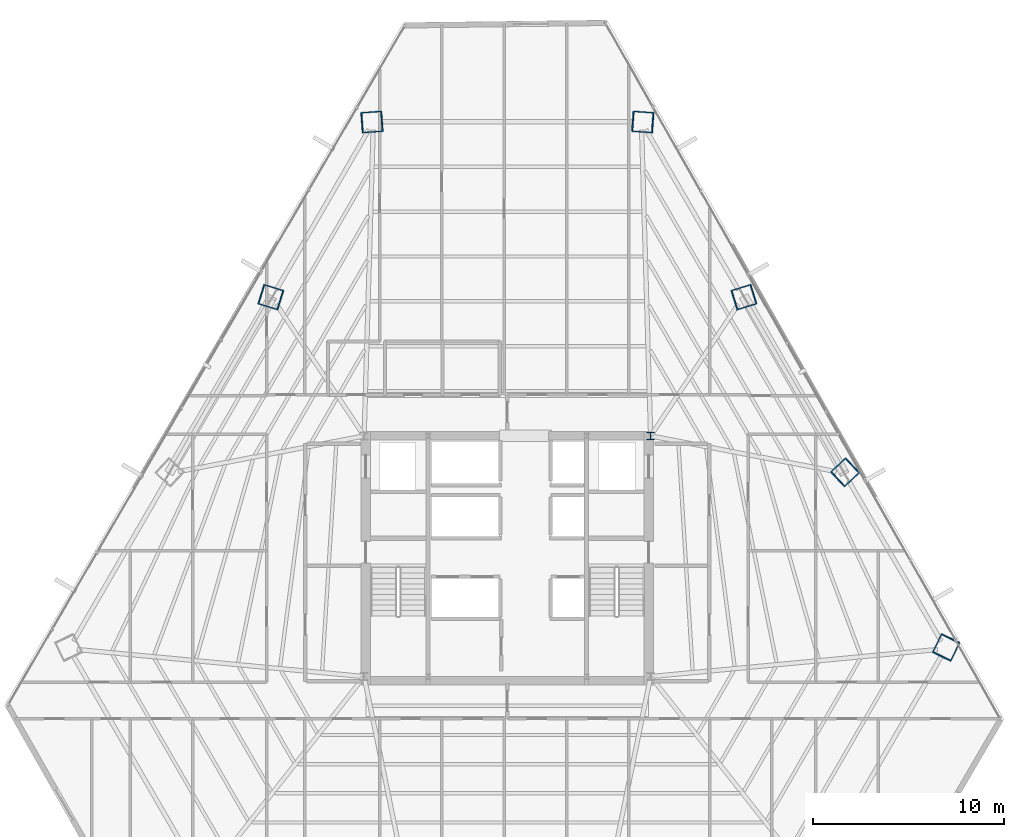
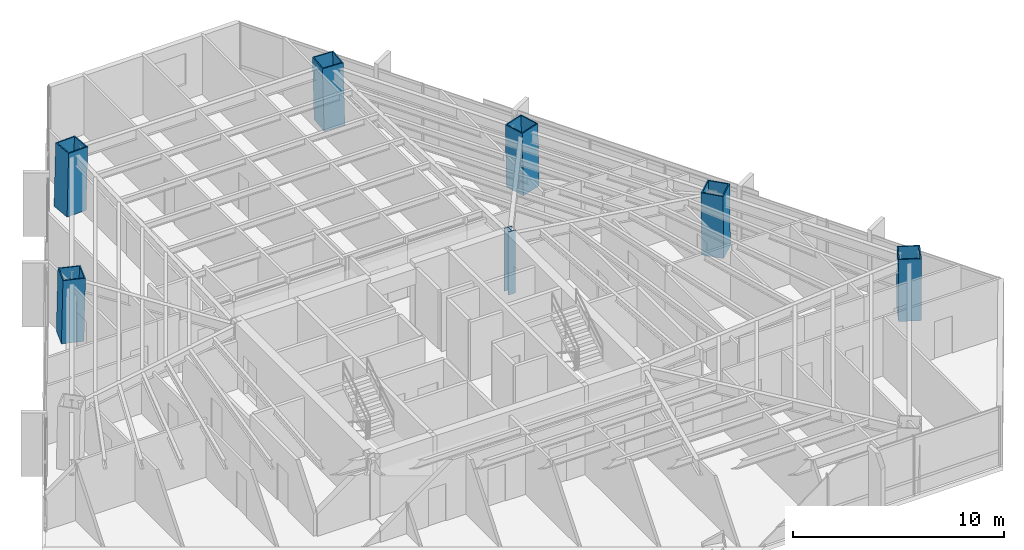
# One storey, part 3 of 37: 7 columns.
"""IFC4 building model written with IfcOpenShell, lengths in metres."""

from ifc_helpers import new_model, si_unit, direction, frame, origin, origin_2d, place, context, subcontext, project, spatial, hollow_rectangle, i_section, extrude, source, transform, mapped, material, material_profile, profile_set, type_object, type_shapes, element, save


model = new_model("IFC4")

# Units and contexts
model_context = context("Model", 3, precision=1e-05, world=origin(), true_north=direction((0.0, 1.0)))
body_context = subcontext(model_context, "Body", "Model", "MODEL_VIEW")
ifc_project = project(units=[si_unit("LENGTHUNIT", "METRE"), si_unit("AREAUNIT", "SQUARE_METRE"), si_unit("VOLUMEUNIT", "CUBIC_METRE"), si_unit("PLANEANGLEUNIT", "RADIAN"), si_unit("MASSUNIT", "GRAM", prefix="KILO")], contexts=[model_context])

# Site, building, storey
site_placement = place(None, origin())
site = spatial("IfcSite", under=ifc_project, at=site_placement, CompositionType="ELEMENT")
building_placement = place(site_placement, origin())
building = spatial("IfcBuilding", under=site, at=building_placement, Name="Caelisora Broadcast Tower", CompositionType="ELEMENT")
storey_placement = place(building_placement, frame((0.0, 0.0, 120.0)))
storey = spatial("IfcBuildingStorey", under=building, at=storey_placement, Name="L31", CompositionType="ELEMENT", Elevation=120.0)

# Columns
ifc_material_1 = material(Name="Steel Grade 350 (AS/NZS 3679.2)", Category="steel")
ifc_material_profile_1 = material_profile(ifc_material_1, i_section(OverallWidth=0.39990234375, OverallDepth=0.39990234375, WebThickness=0.02001953125, FlangeThickness=0.031982421875, at=origin_2d()), Name="Steel Grade 350 (AS/NZS 3679.2)")
ifc_profile_set_1 = profile_set([ifc_material_profile_1], Name="Steel Grade 350 (AS/NZS 3679.2)")
column_type_1 = type_object("IfcColumnType", Name="CC02", PredefinedType="COLUMN", material=ifc_profile_set_1)
shared_shape_1 = source(origin(), body_context, "Body", "SweptSolid", [
    extrude(i_section(OverallWidth=0.39990234375, OverallDepth=0.39990234375, WebThickness=0.02001953125, FlangeThickness=0.031982421875, at=origin_2d()), origin(), (0.0, 0.0, 1.0), 3.64990234375),
])
type_shapes(column_type_1, [shared_shape_1])
column_placement = place(storey_placement, frame((45.5, 30.0, 0.0), z_axis=(0.0, 0.0, 1.0), x_axis=(1.0, 0.0, 0.0)))
element("IfcColumn", 1, at=column_placement, inside=storey, type_object=column_type_1, Name="L31 column CC02", PredefinedType="COLUMN", context=body_context, shape_type="MappedRepresentation", body=[
    mapped(shared_shape_1, transform((0.0, 0.0, 0.0), scale=1.0)),
])
ifc_material_2 = material(Name="Steel Grade 350 L15 (AS/NZS 3678)", Category="steel")
ifc_material_profile_2 = material_profile(ifc_material_2, hollow_rectangle(XDim=1.10009765625, YDim=1.10009765625, WallThickness=0.06005859375, at=origin_2d()), Name="Steel Grade 350 L15 (AS/NZS 3678)")
ifc_profile_set_2 = profile_set([ifc_material_profile_2], Name="Steel Grade 350 L15 (AS/NZS 3678)")
column_type_2 = type_object("IfcColumnType", Name="MC03", PredefinedType="COLUMN", material=ifc_profile_set_2)
shared_shape_2 = source(origin(), body_context, "Body", "SweptSolid", [
    extrude(hollow_rectangle(XDim=1.10009765625, YDim=1.10009765625, WallThickness=0.06005859375, at=origin_2d()), origin(), (0.0, 0.0, 1.0), 3.65087890625),
])
for number, where, z_axis, x_axis, name in (
    (2, (45.104248046875, 46.4345703125, 0.0), (-0.023872756997, 0.001738632162, 0.999713493273), (-0.07263675076, -0.997358462359, 0.0), "L31 column MC03"),
    (3, (30.895751953125, 46.4345703125, 0.0), (0.023872756997, 0.001738632162, 0.999713493273), (-0.07263675076, 0.997358462359, 0.0), "L31 column MC03"),
    (4, (60.981201171875, 18.935302734375, 0.0), (-0.010431780378, -0.021599135014, 0.999712286273), (0.900476348161, -0.434904985489, 0.0), "L31 column MC03"),
):
    element("IfcColumn", number, at=place(storey_placement, frame(where, z_axis=z_axis, x_axis=x_axis)), inside=storey, type_object=column_type_2, Name=name, PredefinedType="COLUMN", context=body_context, shape_type="MappedRepresentation", body=[
        mapped(shared_shape_2, transform((0.0, 0.0, 0.0), scale=1.0)),
    ])
shared_shape_3 = source(origin(), body_context, "Body", "SweptSolid", [
    extrude(hollow_rectangle(XDim=1.10009765625, YDim=1.10009765625, WallThickness=0.06005859375, at=origin_2d()), origin(), (0.0, 0.0, 1.0), 3.650634765625),
])
type_shapes(column_type_2, [shared_shape_2, shared_shape_3])
for number, where, z_axis, x_axis, name in (
    (5, (25.603515625, 37.26806640625, 0.0), (0.019393993486, -0.006018825565, 0.999793802119), (0.296399214872, 0.955064136811, 0.0), "L31 column MC03"),
    (6, (55.688720703125, 28.101806640625, 0.0), (-0.014846438617, -0.013843300873, 0.999793951913), (0.681966025159, -0.731383853069, 0.0), "L31 column MC03"),
    (7, (50.396484375, 37.26806640625, 0.0), (-0.019393993486, -0.006018825565, 0.999793802119), (0.296399214872, -0.955064136811, 0.0), "L31 column MC03"),
):
    element("IfcColumn", number, at=place(storey_placement, frame(where, z_axis=z_axis, x_axis=x_axis)), inside=storey, type_object=column_type_2, Name=name, PredefinedType="COLUMN", context=body_context, shape_type="MappedRepresentation", body=[
        mapped(shared_shape_3, transform((0.0, 0.0, 0.0), scale=1.0)),
    ])

save(model, "model.ifc")
